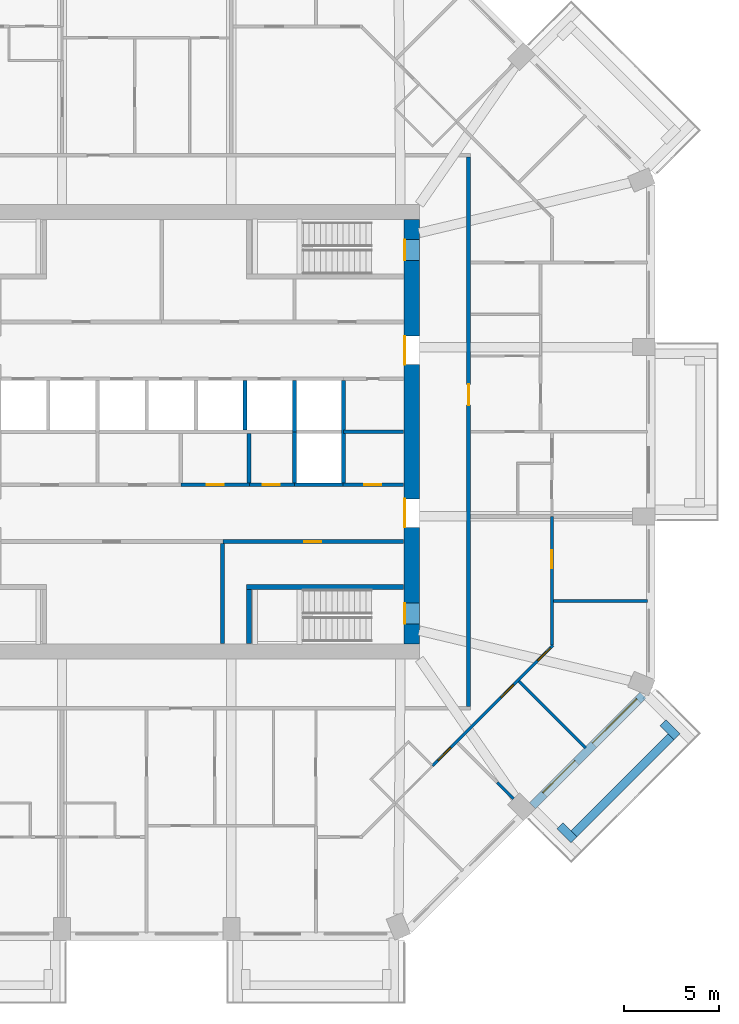
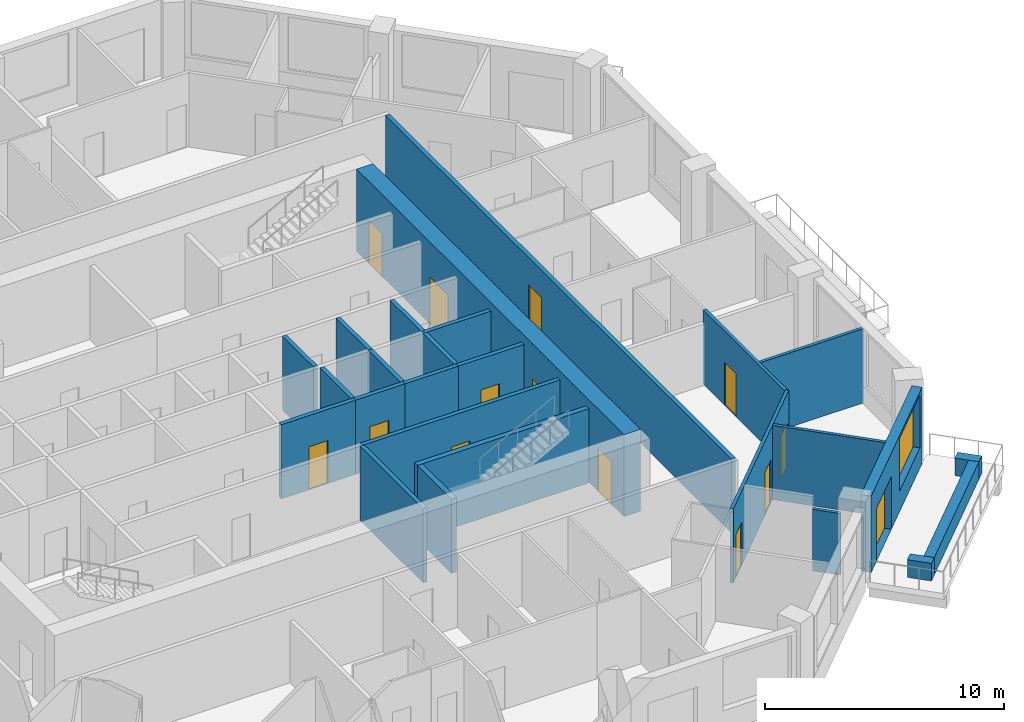
# One storey, part 6 of 13: 25 walls, 14 doors, 1 window, 15 openings.
"""IFC4 building model written with IfcOpenShell, lengths in metres."""

from ifc_helpers import new_model, si_unit, direction, frame, frame_2d, origin, place, context, subcontext, project, spatial, rectangle, extrude, material, layer, layer_set, type_object, element, fill, save


model = new_model("IFC4")

# Units and contexts
model_context = context("Model", 3, precision=1e-05, world=origin(), true_north=direction((0.0, 1.0)))
body_context = subcontext(model_context, "Body", "Model", "MODEL_VIEW")
ifc_project = project(units=[si_unit("LENGTHUNIT", "METRE"), si_unit("AREAUNIT", "SQUARE_METRE"), si_unit("VOLUMEUNIT", "CUBIC_METRE"), si_unit("PLANEANGLEUNIT", "RADIAN"), si_unit("MASSUNIT", "GRAM", prefix="KILO")], contexts=[model_context])

# Site, building, storey
site_placement = place(None, origin())
site = spatial("IfcSite", under=ifc_project, at=site_placement, CompositionType="ELEMENT")
building_placement = place(site_placement, origin())
building = spatial("IfcBuilding", under=site, at=building_placement, Name="Msitu Wima Residences", CompositionType="ELEMENT")
storey_placement = place(building_placement, frame((0.0, 0.0, 144.300048828125)))
storey = spatial("IfcBuildingStorey", under=building, at=storey_placement, Name="L33", CompositionType="ELEMENT", Elevation=144.300048828125)

# Walls
ifc_material_1 = material(Name="Facing brick")
ifc_layer_1 = layer(ifc_material_1, 0.06494140625, Name="Facing brick")
ifc_material_2 = material(Name="Concrete C40/50", Category="concrete")
ifc_layer_2 = layer(ifc_material_2, 0.156005859375, Name="Concrete C40/50")
ifc_material_3 = material(Name="Waterproofing membrane")
ifc_layer_3 = layer(ifc_material_3, 0.00390625, Name="Waterproofing membrane")
ifc_material_4 = material(Name="Planting soil and planting")
ifc_layer_4 = layer(ifc_material_4, 0.22509765625, Name="Planting soil and planting")
ifc_layer_set_1 = layer_set([ifc_layer_1, ifc_layer_2, ifc_layer_3, ifc_layer_4], Name="Concrete C40/50")
wall_type_1 = type_object("IfcWallType", Name="Balcony planter PLANTER PL450", PredefinedType="USERDEFINED", material=ifc_layer_set_1)
wall_1_placement = place(storey_placement, frame((22.572265625, -21.228759765625, 0.0), z_axis=(0.0, 0.0, 1.0), x_axis=(0.707106781187, 0.707106781187, 0.0)))
element("IfcWall", 1, at=wall_1_placement, inside=storey, type_object=wall_type_1, Name="Balcony planter SE1 L33", ObjectType="PLANTER", PredefinedType="USERDEFINED", context=body_context, shape_type="SweptSolid", body=[
    extrude(rectangle(XDim=7.23828125, YDim=0.449951171875, at=frame_2d((3.619140625, 0.0))), origin(), (0.0, 0.0, 1.0), 0.89990234375),
])
for number, where, z_axis, x_axis, name in (
    (2, (21.829833984375, -20.804443359375, 0.0), (0.0, 0.0, 1.0), (0.707106781187, -0.707106781187, 0.0), "Balcony planter SE1 L33"),
    (3, (27.26611328125, -15.3681640625, 0.0), (0.0, 0.0, 1.0), (0.707223014731, -0.706990528533, 0.0), "Balcony planter SE1 L33"),
):
    element("IfcWall", number, at=place(storey_placement, frame(where, z_axis=z_axis, x_axis=x_axis)), inside=storey, type_object=wall_type_1, Name=name, ObjectType="PLANTER", PredefinedType="USERDEFINED", context=body_context, shape_type="SweptSolid", body=[
        extrude(rectangle(XDim=1.050048828125, YDim=0.449951171875, at=frame_2d((0.52490234375, 0.0))), origin(), (0.0, 0.0, 1.0), 0.89990234375),
    ])

# Wall, openings, door, window
ifc_material_5 = material(Name="Brick (red buff mix)", Category="masonry")
ifc_layer_5 = layer(ifc_material_5, 0.449951171875)
ifc_layer_set_2 = layer_set([ifc_layer_5], Name="Brick (red buff mix)")
wall_type_2 = type_object("IfcWallType", Name="Brick infill wall BW450", PredefinedType="SOLIDWALL", material=ifc_layer_set_2)
wall_2_placement = place(storey_placement, frame((20.380126953125, -19.743896484375, 0.0), z_axis=(0.0, 0.0, 1.0), x_axis=(0.707106781187, 0.707106781187, 0.0)))
wall_2 = element("IfcWall", 4, at=wall_2_placement, inside=storey, type_object=wall_type_2, Name="Brick infill wall L33 SE1", PredefinedType="SOLIDWALL", context=body_context, shape_type="SweptSolid", body=[
    extrude(rectangle(XDim=8.251220703125, YDim=0.449951171875, at=frame_2d((4.12548828125, 0.0))), origin(), (0.0, 0.0, 1.0), 3.89990234375),
])
opening_1_placement = place(wall_2_placement, frame((0.86279296875, 0.0, 0.0)))
opening_1 = element("IfcOpeningElement", 5, at=opening_1_placement, cuts=wall_2, Name="Opening D33.008", PredefinedType="OPENING", context=body_context, shape_type="SweptSolid", body=[
    extrude(rectangle(XDim=2.39990234375, YDim=2.699951171875, at=frame_2d((1.199951171875, 1.35009765625))), frame((0.0, 0.23486328125, 0.0), z_axis=(0.0, -1.0, 0.0), x_axis=(1.0, 0.0, 0.0)), (0.0, 0.0, 1.0), 0.469970703125),
])
opening_2_placement = place(wall_2_placement, frame((4.57568359375, 0.0, 1.050048828125)))
opening_2 = element("IfcOpeningElement", 6, at=opening_2_placement, cuts=wall_2, Name="Opening W33.022", PredefinedType="OPENING", context=body_context, shape_type="SweptSolid", body=[
    extrude(rectangle(XDim=3.300048828125, YDim=2.699951171875, at=frame_2d((1.64990234375, 1.35009765625))), frame((0.0, 0.23486328125, 0.0), z_axis=(0.0, -1.0, 0.0), x_axis=(1.0, 0.0, 0.0)), (0.0, 0.0, 1.0), 0.469970703125),
])
ifc_material_6 = material(Name="Anodised aluminium, bronze finish, clear low-emissivity double glazing", Category="aluminium")
door_type_1 = type_object("IfcDoorType", Name="Balcony door D2400x2700", OperationType="SLIDING_TO_LEFT", PredefinedType="DOOR", material=ifc_material_6)
door_1_placement = place(opening_1_placement, origin())
door_1 = element("IfcDoor", 7, at=door_1_placement, inside=storey, type_object=door_type_1, Name="Balcony door L33 SE1", OperationType="SINGLE_SWING_LEFT", OverallHeight=2.699951171875, OverallWidth=2.39990234375, PredefinedType="DOOR", context=body_context, shape_type="SweptSolid", body=[
    extrude(rectangle(XDim=2.39990234375, YDim=2.699951171875, at=frame_2d((1.199951171875, 1.35009765625))), frame((0.0, 0.1298828125, 0.0), z_axis=(0.0, -1.0, 0.0), x_axis=(1.0, 0.0, 0.0)), (0.0, 0.0, 1.0), 0.050048828125),
])
fill(opening_1, door_1)
window_type = type_object("IfcWindowType", Name="Window W3300x2700", PartitioningType="DOUBLE_PANEL_VERTICAL", PredefinedType="WINDOW", material=ifc_material_6)
window_placement = place(opening_2_placement, origin())
window = element("IfcWindow", 8, at=window_placement, inside=storey, type_object=window_type, Name="Window L33 SE1.2", OverallHeight=2.699951171875, OverallWidth=3.300048828125, PartitioningType="SINGLE_PANEL", PredefinedType="WINDOW", context=body_context, shape_type="SweptSolid", body=[
    extrude(rectangle(XDim=3.300048828125, YDim=2.699951171875, at=frame_2d((1.64990234375, 1.35009765625))), frame((0.0, 0.135009765625, 0.0), z_axis=(0.0, -1.0, 0.0), x_axis=(1.0, 0.0, 0.0)), (0.0, 0.0, 1.0), 0.06005859375),
])
fill(opening_2, window)

# Wall, openings, doors
ifc_material_7 = material(Name="Concrete C70/85", Category="concrete")
ifc_layer_6 = layer(ifc_material_7, 0.800048828125)
ifc_layer_set_3 = layer_set([ifc_layer_6], Name="Concrete C70/85")
wall_type_3 = type_object("IfcWallType", Name="Core wall CW800 C70/85", PredefinedType="SHEAR", material=ifc_layer_set_3)
wall_3_placement = place(storey_placement, frame((14.0, -11.199951171875, 0.0), z_axis=(0.0, 0.0, 1.0), x_axis=(0.0, 1.0, 0.0)))
wall_3 = element("IfcWall", 9, at=wall_3_placement, inside=storey, type_object=wall_type_3, Name="Core wall", PredefinedType="SHEAR", context=body_context, shape_type="SweptSolid", body=[
    extrude(rectangle(XDim=22.39990234375, YDim=0.800048828125, at=frame_2d((11.199951171875, 0.0))), origin(), (0.0, 0.0, 1.0), 4.199951171875),
])
opening_3_placement = place(wall_3_placement, frame((20.25, 0.0, 0.0)))
opening_3 = element("IfcOpeningElement", 10, at=opening_3_placement, cuts=wall_3, Name="Opening D33.037", PredefinedType="OPENING", context=body_context, shape_type="SweptSolid", body=[
    extrude(rectangle(XDim=1.10009765625, YDim=2.199951171875, at=frame_2d((0.550048828125, 1.10009765625))), frame((0.0, 0.409912109375, 0.0), z_axis=(0.0, -1.0, 0.0), x_axis=(1.0, 0.0, 0.0)), (0.0, 0.0, 1.0), 0.820068359375),
])
opening_4_placement = place(wall_3_placement, frame((1.050048828125, 0.0, 0.0)))
opening_4 = element("IfcOpeningElement", 11, at=opening_4_placement, cuts=wall_3, Name="Opening D33.038", PredefinedType="OPENING", context=body_context, shape_type="SweptSolid", body=[
    extrude(rectangle(XDim=1.10009765625, YDim=2.199951171875, at=frame_2d((0.550048828125, 1.10009765625))), frame((0.0, 0.409912109375, 0.0), z_axis=(0.0, -1.0, 0.0), x_axis=(1.0, 0.0, 0.0)), (0.0, 0.0, 1.0), 0.820068359375),
])
opening_5_placement = place(wall_3_placement, frame((14.75, 0.0, 0.0)))
opening_5 = element("IfcOpeningElement", 12, at=opening_5_placement, cuts=wall_3, Name="Opening D33.025", PredefinedType="OPENING", context=body_context, shape_type="SweptSolid", body=[
    extrude(rectangle(XDim=1.5, YDim=2.39990234375, at=frame_2d((0.75, 1.199951171875))), frame((0.0, 0.409912109375, 0.0), z_axis=(0.0, -1.0, 0.0), x_axis=(1.0, 0.0, 0.0)), (0.0, 0.0, 1.0), 0.820068359375),
])
opening_6_placement = place(wall_3_placement, frame((6.14990234375, 0.0, 0.0)))
opening_6 = element("IfcOpeningElement", 13, at=opening_6_placement, cuts=wall_3, Name="Opening D33.026", PredefinedType="OPENING", context=body_context, shape_type="SweptSolid", body=[
    extrude(rectangle(XDim=1.5, YDim=2.39990234375, at=frame_2d((0.75, 1.199951171875))), frame((0.0, 0.409912109375, 0.0), z_axis=(0.0, -1.0, 0.0), x_axis=(1.0, 0.0, 0.0)), (0.0, 0.0, 1.0), 0.820068359375),
])
ifc_material_8 = material(Name="Steel framed glazed door, fire resisting", Category="steel")
door_type_2 = type_object("IfcDoorType", Name="Lobby door D07 1500x2400", OperationType="DOUBLE_DOOR_SINGLE_SWING", PredefinedType="DOOR", material=ifc_material_8)
door_2_placement = place(opening_5_placement, origin())
door_2 = element("IfcDoor", 14, at=door_2_placement, inside=storey, type_object=door_type_2, Name="Lobby door", OperationType="DOUBLE_DOOR_SINGLE_SWING", OverallHeight=2.39990234375, OverallWidth=1.5, PredefinedType="DOOR", context=body_context, shape_type="SweptSolid", body=[
    extrude(rectangle(XDim=1.5, YDim=2.39990234375, at=frame_2d((0.75, 1.199951171875))), frame((0.0, 0.39501953125, 0.0), z_axis=(0.0, -1.0, 0.0), x_axis=(1.0, 0.0, 0.0)), (0.0, 0.0, 1.0), 0.050048828125),
])
fill(opening_5, door_2)
door_3_placement = place(opening_6_placement, origin())
door_3 = element("IfcDoor", 15, at=door_3_placement, inside=storey, type_object=door_type_2, Name="Lobby door", OperationType="DOUBLE_DOOR_SINGLE_SWING", OverallHeight=2.39990234375, OverallWidth=1.5, PredefinedType="DOOR", context=body_context, shape_type="SweptSolid", body=[
    extrude(rectangle(XDim=1.5, YDim=2.39990234375, at=frame_2d((0.75, 1.199951171875))), frame((0.0, 0.39501953125, 0.0), z_axis=(0.0, -1.0, 0.0), x_axis=(1.0, 0.0, 0.0)), (0.0, 0.0, 1.0), 0.050048828125),
])
fill(opening_6, door_3)
ifc_material_9 = material(Name="Steel door, fire resisting, panic bar", Category="steel")
door_type_3 = type_object("IfcDoorType", Name="Stair door D06 1100x2200", OperationType="SINGLE_SWING_LEFT", PredefinedType="DOOR", material=ifc_material_9)
door_4_placement = place(opening_3_placement, origin())
door_4 = element("IfcDoor", 16, at=door_4_placement, inside=storey, type_object=door_type_3, Name="Stair door", OperationType="SINGLE_SWING_LEFT", OverallHeight=2.199951171875, OverallWidth=1.10009765625, PredefinedType="DOOR", context=body_context, shape_type="SweptSolid", body=[
    extrude(rectangle(XDim=1.10009765625, YDim=2.199951171875, at=frame_2d((0.550048828125, 1.10009765625))), frame((0.0, 0.39501953125, 0.0), z_axis=(0.0, -1.0, 0.0), x_axis=(1.0, 0.0, 0.0)), (0.0, 0.0, 1.0), 0.050048828125),
])
fill(opening_3, door_4)
door_5_placement = place(opening_4_placement, origin())
door_5 = element("IfcDoor", 17, at=door_5_placement, inside=storey, type_object=door_type_3, Name="Stair door", OperationType="SINGLE_SWING_RIGHT", OverallHeight=2.199951171875, OverallWidth=1.10009765625, PredefinedType="DOOR", context=body_context, shape_type="SweptSolid", body=[
    extrude(rectangle(XDim=1.10009765625, YDim=2.199951171875, at=frame_2d((0.550048828125, 1.10009765625))), frame((0.0, 0.39501953125, 0.0), z_axis=(0.0, -1.0, 0.0), x_axis=(1.0, 0.0, 0.0)), (0.0, 0.0, 1.0), 0.050048828125),
])
fill(opening_4, door_5)

# Wall, opening, door
ifc_material_10 = material(Name="Plaster")
ifc_layer_7 = layer(ifc_material_10, 0.011962890625, Name="Plaster")
ifc_material_11 = material(Name="Concrete blockwork", Category="masonry")
ifc_layer_8 = layer(ifc_material_11, 0.176025390625, Name="Concrete blockwork")
ifc_layer_9 = layer(ifc_material_10, 0.011962890625, Name="Plaster")
ifc_layer_set_4 = layer_set([ifc_layer_7, ifc_layer_8, ifc_layer_9], Name="Concrete blockwork")
wall_type_4 = type_object("IfcWallType", Name="Corridor wall FW200", PredefinedType="PARTITIONING", material=ifc_layer_set_4)
wall_4_placement = place(storey_placement, frame((4.02001953125, -5.800048828125, 0.0), z_axis=(0.0, 0.0, 1.0), x_axis=(1.0, 0.0, 0.0)))
wall_4 = element("IfcWall", 18, at=wall_4_placement, inside=storey, type_object=wall_type_4, Name="Corridor wall", PredefinedType="PARTITIONING", context=body_context, shape_type="SweptSolid", body=[
    extrude(rectangle(XDim=9.550048828125, YDim=0.199951171875, at=frame_2d((4.77490234375, 0.0))), origin(), (0.0, 0.0, 1.0), 3.7978515625),
])
opening_7_placement = place(wall_4_placement, frame((4.300048828125, 0.0, 0.0)))
opening_7 = element("IfcOpeningElement", 19, at=opening_7_placement, cuts=wall_4, Name="Opening D33.024", PredefinedType="OPENING", context=body_context, shape_type="SweptSolid", body=[
    extrude(rectangle(XDim=0.89990234375, YDim=2.199951171875, at=frame_2d((0.449951171875, 1.10009765625))), frame((0.0, 0.10986328125, 0.0), z_axis=(0.0, -1.0, 0.0), x_axis=(1.0, 0.0, 0.0)), (0.0, 0.0, 1.0), 0.219970703125),
])
ifc_material_12 = material(Name="Timber flush door", Category="wood")
door_type_4 = type_object("IfcDoorType", Name="Service door D05 900x2200", OperationType="SINGLE_SWING_LEFT", PredefinedType="DOOR", material=ifc_material_12)
door_6_placement = place(opening_7_placement, origin())
door_6 = element("IfcDoor", 20, at=door_6_placement, inside=storey, type_object=door_type_4, Name="Service door", OperationType="SINGLE_SWING_RIGHT", OverallHeight=2.199951171875, OverallWidth=0.89990234375, PredefinedType="DOOR", context=body_context, shape_type="SweptSolid", body=[
    extrude(rectangle(XDim=0.89990234375, YDim=2.199951171875, at=frame_2d((0.449951171875, 1.10009765625))), frame((0.0, 0.02490234375, 0.0), z_axis=(0.0, -1.0, 0.0), x_axis=(1.0, 0.0, 0.0)), (0.0, 0.0, 1.0), 0.050048828125),
])
fill(opening_7, door_6)

wall_5_placement = place(storey_placement, frame((5.419921875, -2.800048828125, 0.0), z_axis=(0.0, 0.0, 1.0), x_axis=(1.0, 0.0, 0.0)))
wall_5 = element("IfcWall", 21, at=wall_5_placement, inside=storey, type_object=wall_type_4, Name="Corridor wall", PredefinedType="PARTITIONING", context=body_context, shape_type="SweptSolid", body=[
    extrude(rectangle(XDim=2.380126953125, YDim=0.199951171875, at=frame_2d((1.18994140625, 0.0))), origin(), (0.0, 0.0, 1.0), 3.7978515625),
])
opening_8_placement = place(wall_5_placement, frame((0.699951171875, 0.0, 0.0)))
opening_8 = element("IfcOpeningElement", 22, at=opening_8_placement, cuts=wall_5, Name="Opening D33.032", PredefinedType="OPENING", context=body_context, shape_type="SweptSolid", body=[
    extrude(rectangle(XDim=0.89990234375, YDim=2.199951171875, at=frame_2d((0.449951171875, 1.10009765625))), frame((0.0, 0.10986328125, 0.0), z_axis=(0.0, -1.0, 0.0), x_axis=(1.0, 0.0, 0.0)), (0.0, 0.0, 1.0), 0.219970703125),
])
door_7_placement = place(opening_8_placement, origin())
door_7 = element("IfcDoor", 23, at=door_7_placement, inside=storey, type_object=door_type_4, Name="Service door", OperationType="SINGLE_SWING_LEFT", OverallHeight=2.199951171875, OverallWidth=0.89990234375, PredefinedType="DOOR", context=body_context, shape_type="SweptSolid", body=[
    extrude(rectangle(XDim=0.89990234375, YDim=2.199951171875, at=frame_2d((0.449951171875, 1.10009765625))), frame((0.0, 0.02490234375, 0.0), z_axis=(0.0, -1.0, 0.0), x_axis=(1.0, 0.0, 0.0)), (0.0, 0.0, 1.0), 0.050048828125),
])
fill(opening_8, door_7)

wall_6_placement = place(storey_placement, frame((17.0, -14.5, 0.0), z_axis=(0.0, 0.0, 1.0), x_axis=(0.0, 1.0, 0.0)))
wall_6 = element("IfcWall", 24, at=wall_6_placement, inside=storey, type_object=wall_type_4, Name="Corridor wall", PredefinedType="PARTITIONING", context=body_context, shape_type="SweptSolid", body=[
    extrude(rectangle(XDim=29.0, YDim=0.199951171875, at=frame_2d((14.5, 0.0))), origin(), (0.0, 0.0, 1.0), 3.7978515625),
])
opening_9_placement = place(wall_6_placement, frame((15.89990234375, 0.0, 0.0)))
opening_9 = element("IfcOpeningElement", 25, at=opening_9_placement, cuts=wall_6, Name="Opening D33.011", PredefinedType="OPENING", context=body_context, shape_type="SweptSolid", body=[
    extrude(rectangle(XDim=1.10009765625, YDim=2.39990234375, at=frame_2d((0.550048828125, 1.199951171875))), frame((0.0, 0.10986328125, 0.0), z_axis=(0.0, -1.0, 0.0), x_axis=(1.0, 0.0, 0.0)), (0.0, 0.0, 1.0), 0.219970703125),
])
ifc_material_13 = material(Name="Timber flush door, fire resisting, self-closing", Category="wood")
door_type_5 = type_object("IfcDoorType", Name="Flat entrance door D01 1100x2400", OperationType="SINGLE_SWING_LEFT", PredefinedType="DOOR", material=ifc_material_13)
door_8_placement = place(opening_9_placement, origin())
door_8 = element("IfcDoor", 26, at=door_8_placement, inside=storey, type_object=door_type_5, Name="Flat entrance door", OperationType="SINGLE_SWING_RIGHT", OverallHeight=2.39990234375, OverallWidth=1.10009765625, PredefinedType="DOOR", context=body_context, shape_type="SweptSolid", body=[
    extrude(rectangle(XDim=1.10009765625, YDim=2.39990234375, at=frame_2d((0.550048828125, 1.199951171875))), frame((0.0, 0.02490234375, 0.0), z_axis=(0.0, -1.0, 0.0), x_axis=(1.0, 0.0, 0.0)), (0.0, 0.0, 1.0), 0.050048828125),
])
fill(opening_9, door_8)

# Wall, openings, doors
ifc_layer_10 = layer(ifc_material_10, 0.011962890625, Name="Plaster")
ifc_layer_11 = layer(ifc_material_11, 0.1259765625, Name="Concrete blockwork")
ifc_layer_12 = layer(ifc_material_10, 0.011962890625, Name="Plaster")
ifc_layer_set_5 = layer_set([ifc_layer_10, ifc_layer_11, ifc_layer_12], Name="Concrete blockwork")
wall_type_5 = type_object("IfcWallType", Name="Partition PW150", PredefinedType="PARTITIONING", material=ifc_layer_set_5)
wall_7_placement = place(storey_placement, frame((15.098876953125, -17.635986328125, 0.0), z_axis=(0.0, 0.0, 1.0), x_axis=(0.707106781187, 0.707106781187, 0.0)))
wall_7 = element("IfcWall", 27, at=wall_7_placement, inside=storey, type_object=wall_type_5, Name="Partition", PredefinedType="PARTITIONING", context=body_context, shape_type="SweptSolid", body=[
    extrude(rectangle(XDim=8.986328125, YDim=0.14990234375, at=frame_2d((4.4931640625, 0.0))), origin(), (0.0, 0.0, 1.0), 3.7978515625),
])
opening_10_placement = place(wall_7_placement, frame((0.39990234375, 0.0, 0.0)))
opening_10 = element("IfcOpeningElement", 28, at=opening_10_placement, cuts=wall_7, Name="Opening D33.080", PredefinedType="OPENING", context=body_context, shape_type="SweptSolid", body=[
    extrude(rectangle(XDim=0.949951171875, YDim=2.199951171875, at=frame_2d((0.47509765625, 1.10009765625))), frame((0.0, 0.0849609375, 0.0), z_axis=(0.0, -1.0, 0.0), x_axis=(1.0, 0.0, 0.0)), (0.0, 0.0, 1.0), 0.169921875),
])
opening_11_placement = place(wall_7_placement, frame((5.10009765625, 0.0, 0.0)))
opening_11 = element("IfcOpeningElement", 29, at=opening_11_placement, cuts=wall_7, Name="Opening D33.082", PredefinedType="OPENING", context=body_context, shape_type="SweptSolid", body=[
    extrude(rectangle(XDim=0.949951171875, YDim=2.199951171875, at=frame_2d((0.47509765625, 1.10009765625))), frame((0.0, 0.0849609375, 0.0), z_axis=(0.0, -1.0, 0.0), x_axis=(1.0, 0.0, 0.0)), (0.0, 0.0, 1.0), 0.169921875),
])
opening_12_placement = place(wall_7_placement, frame((7.85009765625, 0.0, 0.0)))
opening_12 = element("IfcOpeningElement", 30, at=opening_12_placement, cuts=wall_7, Name="Opening D33.085", PredefinedType="OPENING", context=body_context, shape_type="SweptSolid", body=[
    extrude(rectangle(XDim=0.949951171875, YDim=2.199951171875, at=frame_2d((0.47509765625, 1.10009765625))), frame((0.0, 0.0849609375, 0.0), z_axis=(0.0, -1.0, 0.0), x_axis=(1.0, 0.0, 0.0)), (0.0, 0.0, 1.0), 0.169921875),
])
door_type_6 = type_object("IfcDoorType", Name="Room door D12 950x2200", OperationType="SINGLE_SWING_LEFT", PredefinedType="DOOR", material=ifc_material_12)
door_9_placement = place(opening_10_placement, origin())
door_9 = element("IfcDoor", 31, at=door_9_placement, inside=storey, type_object=door_type_6, Name="Room door", OperationType="SINGLE_SWING_LEFT", OverallHeight=2.199951171875, OverallWidth=0.949951171875, PredefinedType="DOOR", context=body_context, shape_type="SweptSolid", body=[
    extrude(rectangle(XDim=0.949951171875, YDim=2.199951171875, at=frame_2d((0.47509765625, 1.10009765625))), frame((0.0, 0.02490234375, 0.0), z_axis=(0.0, -1.0, 0.0), x_axis=(1.0, 0.0, 0.0)), (0.0, 0.0, 1.0), 0.050048828125),
])
fill(opening_10, door_9)
door_10_placement = place(opening_11_placement, origin())
door_10 = element("IfcDoor", 32, at=door_10_placement, inside=storey, type_object=door_type_6, Name="Room door", OperationType="SINGLE_SWING_LEFT", OverallHeight=2.199951171875, OverallWidth=0.949951171875, PredefinedType="DOOR", context=body_context, shape_type="SweptSolid", body=[
    extrude(rectangle(XDim=0.949951171875, YDim=2.199951171875, at=frame_2d((0.47509765625, 1.10009765625))), frame((0.0, 0.02490234375, 0.0), z_axis=(0.0, -1.0, 0.0), x_axis=(1.0, 0.0, 0.0)), (0.0, 0.0, 1.0), 0.050048828125),
])
fill(opening_11, door_10)
door_11_placement = place(opening_12_placement, origin())
door_11 = element("IfcDoor", 33, at=door_11_placement, inside=storey, type_object=door_type_6, Name="Room door", OperationType="SINGLE_SWING_RIGHT", OverallHeight=2.199951171875, OverallWidth=0.949951171875, PredefinedType="DOOR", context=body_context, shape_type="SweptSolid", body=[
    extrude(rectangle(XDim=0.949951171875, YDim=2.199951171875, at=frame_2d((0.47509765625, 1.10009765625))), frame((0.0, 0.02490234375, 0.0), z_axis=(0.0, -1.0, 0.0), x_axis=(1.0, 0.0, 0.0)), (0.0, 0.0, 1.0), 0.050048828125),
])
fill(opening_12, door_11)

# Walls
wall_8_placement = place(storey_placement, frame((18.517578125, -18.517578125, 0.0), z_axis=(0.0, 0.0, 1.0), x_axis=(0.707106781187, -0.707106781187, 0.0)))
element("IfcWall", 34, at=wall_8_placement, inside=storey, type_object=wall_type_5, Name="Partition", PredefinedType="PARTITIONING", context=body_context, shape_type="SweptSolid", body=[
    extrude(rectangle(XDim=1.209228515625, YDim=0.14990234375, at=frame_2d((0.6044921875, 0.0))), origin(), (0.0, 0.0, 1.0), 3.14990234375),
])
wall_9_placement = place(storey_placement, frame((19.6689453125, -13.171875, 0.0), z_axis=(0.0, 0.0, 1.0), x_axis=(0.707106781187, -0.707106781187, 0.0)))
element("IfcWall", 35, at=wall_9_placement, inside=storey, type_object=wall_type_5, Name="Partition", PredefinedType="PARTITIONING", context=body_context, shape_type="SweptSolid", body=[
    extrude(rectangle(XDim=4.980224609375, YDim=0.14990234375, at=frame_2d((2.490234375, 0.0))), origin(), (0.0, 0.0, 1.0), 3.7978515625),
])

# Wall, opening, door
wall_10_placement = place(storey_placement, frame((21.39990234375, -11.259765625, 0.0), z_axis=(0.0, 0.0, 1.0), x_axis=(0.0, 1.0, 0.0)))
wall_10 = element("IfcWall", 36, at=wall_10_placement, inside=storey, type_object=wall_type_5, Name="Partition", PredefinedType="PARTITIONING", context=body_context, shape_type="SweptSolid", body=[
    extrude(rectangle(XDim=6.791015625, YDim=0.14990234375, at=frame_2d((3.3955078125, 0.0))), origin(), (0.0, 0.0, 1.0), 3.7978515625),
])
opening_13_placement = place(wall_10_placement, frame((4.050048828125, 0.0, 0.0)))
opening_13 = element("IfcOpeningElement", 37, at=opening_13_placement, cuts=wall_10, Name="Opening D33.079", PredefinedType="OPENING", context=body_context, shape_type="SweptSolid", body=[
    extrude(rectangle(XDim=0.949951171875, YDim=2.199951171875, at=frame_2d((0.47509765625, 1.10009765625))), frame((0.0, 0.0849609375, 0.0), z_axis=(0.0, -1.0, 0.0), x_axis=(1.0, 0.0, 0.0)), (0.0, 0.0, 1.0), 0.169921875),
])
door_12_placement = place(opening_13_placement, origin())
door_12 = element("IfcDoor", 38, at=door_12_placement, inside=storey, type_object=door_type_6, Name="Room door", OperationType="SINGLE_SWING_RIGHT", OverallHeight=2.199951171875, OverallWidth=0.949951171875, PredefinedType="DOOR", context=body_context, shape_type="SweptSolid", body=[
    extrude(rectangle(XDim=0.949951171875, YDim=2.199951171875, at=frame_2d((0.47509765625, 1.10009765625))), frame((0.0, 0.02490234375, 0.0), z_axis=(0.0, -1.0, 0.0), x_axis=(1.0, 0.0, 0.0)), (0.0, 0.0, 1.0), 0.050048828125),
])
fill(opening_13, door_12)

# Wall
wall_11_placement = place(storey_placement, frame((21.47509765625, -8.937255859375, 0.0), z_axis=(0.0, 0.0, 1.0), x_axis=(1.0, 0.0, 0.0)))
element("IfcWall", 39, at=wall_11_placement, inside=storey, type_object=wall_type_5, Name="Partition", PredefinedType="PARTITIONING", context=body_context, shape_type="SweptSolid", body=[
    extrude(rectangle(XDim=4.97998046875, YDim=0.14990234375, at=frame_2d((2.489990234375, 0.0))), origin(), (0.0, 0.0, 1.0), 3.7978515625),
])

# Wall, opening, door
ifc_layer_13 = layer(ifc_material_10, 0.011962890625, Name="Plaster")
ifc_material_14 = material(Name="Reinforced concrete blockwork", Category="masonry")
ifc_layer_14 = layer(ifc_material_14, 0.176025390625, Name="Reinforced concrete blockwork")
ifc_layer_15 = layer(ifc_material_10, 0.011962890625, Name="Plaster")
ifc_layer_set_6 = layer_set([ifc_layer_13, ifc_layer_14, ifc_layer_15], Name="Reinforced concrete blockwork")
wall_type_6 = type_object("IfcWallType", Name="Plant and riser wall PL200", PredefinedType="PARTITIONING", material=ifc_layer_set_6)
wall_12_placement = place(storey_placement, frame((1.820068359375, -2.800048828125, 0.0), z_axis=(0.0, 0.0, 1.0), x_axis=(1.0, 0.0, 0.0)))
wall_12 = element("IfcWall", 40, at=wall_12_placement, inside=storey, type_object=wall_type_6, Name="Plant and riser wall", PredefinedType="PARTITIONING", context=body_context, shape_type="SweptSolid", body=[
    extrude(rectangle(XDim=3.599853515625, YDim=0.199951171875, at=frame_2d((1.7998046875, 0.0))), origin(), (0.0, 0.0, 1.0), 3.7978515625),
])
opening_14_placement = place(wall_12_placement, frame((1.35009765625, 0.0, 0.0)))
opening_14 = element("IfcOpeningElement", 41, at=opening_14_placement, cuts=wall_12, Name="Opening D33.031", PredefinedType="OPENING", context=body_context, shape_type="SweptSolid", body=[
    extrude(rectangle(XDim=0.89990234375, YDim=2.199951171875, at=frame_2d((0.449951171875, 1.10009765625))), frame((0.0, 0.10986328125, 0.0), z_axis=(0.0, -1.0, 0.0), x_axis=(1.0, 0.0, 0.0)), (0.0, 0.0, 1.0), 0.219970703125),
])
door_13_placement = place(opening_14_placement, origin())
door_13 = element("IfcDoor", 42, at=door_13_placement, inside=storey, type_object=door_type_4, Name="Service door", OperationType="SINGLE_SWING_RIGHT", OverallHeight=2.199951171875, OverallWidth=0.89990234375, PredefinedType="DOOR", context=body_context, shape_type="SweptSolid", body=[
    extrude(rectangle(XDim=0.89990234375, YDim=2.199951171875, at=frame_2d((0.449951171875, 1.10009765625))), frame((0.0, 0.02490234375, 0.0), z_axis=(0.0, -1.0, 0.0), x_axis=(1.0, 0.0, 0.0)), (0.0, 0.0, 1.0), 0.050048828125),
])
fill(opening_14, door_13)

# Walls
wall_13_placement = place(storey_placement, frame((4.0, -11.169921875, 0.0), z_axis=(0.0, 0.0, 1.0), x_axis=(0.0, 1.0, 0.0)))
element("IfcWall", 43, at=wall_13_placement, inside=storey, type_object=wall_type_6, Name="Plant and riser wall", PredefinedType="PARTITIONING", context=body_context, shape_type="SweptSolid", body=[
    extrude(rectangle(XDim=5.27001953125, YDim=0.199951171875, at=frame_2d((2.635009765625, 0.0))), origin(), (0.0, 0.0, 1.0), 3.7978515625),
])
wall_14_placement = place(storey_placement, frame((5.39990234375, -2.699951171875, 0.0), z_axis=(0.0, 0.0, 1.0), x_axis=(0.0, 1.0, 0.0)))
element("IfcWall", 44, at=wall_14_placement, inside=storey, type_object=wall_type_6, Name="Plant and riser wall", PredefinedType="PARTITIONING", context=body_context, shape_type="SweptSolid", body=[
    extrude(rectangle(XDim=2.599853515625, YDim=0.199951171875, at=frame_2d((1.2998046875, 0.0))), origin(), (0.0, 0.0, 1.0), 3.7978515625),
])

# Wall, opening, door
wall_15_placement = place(storey_placement, frame((10.3798828125, -2.800048828125, 0.0), z_axis=(0.0, 0.0, 1.0), x_axis=(1.0, 0.0, 0.0)))
wall_15 = element("IfcWall", 45, at=wall_15_placement, inside=storey, type_object=wall_type_6, Name="Plant and riser wall", PredefinedType="PARTITIONING", context=body_context, shape_type="SweptSolid", body=[
    extrude(rectangle(XDim=3.190185546875, YDim=0.199951171875, at=frame_2d((1.59521484375, 0.0))), origin(), (0.0, 0.0, 1.0), 3.7978515625),
])
opening_15_placement = place(wall_15_placement, frame((1.10009765625, 0.0, 0.0)))
opening_15 = element("IfcOpeningElement", 46, at=opening_15_placement, cuts=wall_15, Name="Opening D33.015", PredefinedType="OPENING", context=body_context, shape_type="SweptSolid", body=[
    extrude(rectangle(XDim=0.89990234375, YDim=2.199951171875, at=frame_2d((0.449951171875, 1.10009765625))), frame((0.0, 0.10986328125, 0.0), z_axis=(0.0, -1.0, 0.0), x_axis=(1.0, 0.0, 0.0)), (0.0, 0.0, 1.0), 0.219970703125),
])
door_14_placement = place(opening_15_placement, origin())
door_14 = element("IfcDoor", 47, at=door_14_placement, inside=storey, type_object=door_type_4, Name="Service door", OperationType="SINGLE_SWING_LEFT", OverallHeight=2.199951171875, OverallWidth=0.89990234375, PredefinedType="DOOR", context=body_context, shape_type="SweptSolid", body=[
    extrude(rectangle(XDim=0.89990234375, YDim=2.199951171875, at=frame_2d((0.449951171875, 1.10009765625))), frame((0.0, 0.02490234375, 0.0), z_axis=(0.0, -1.0, 0.0), x_axis=(1.0, 0.0, 0.0)), (0.0, 0.0, 1.0), 0.050048828125),
])
fill(opening_15, door_14)

# Walls
wall_16_placement = place(storey_placement, frame((10.39990234375, 0.0, 0.0), z_axis=(0.0, 0.0, 1.0), x_axis=(1.0, 0.0, 0.0)))
element("IfcWall", 48, at=wall_16_placement, inside=storey, type_object=wall_type_6, Name="Plant and riser wall", PredefinedType="PARTITIONING", context=body_context, shape_type="SweptSolid", body=[
    extrude(rectangle(XDim=3.170166015625, YDim=0.199951171875, at=frame_2d((1.5849609375, 0.0))), origin(), (0.0, 0.0, 1.0), 3.7978515625),
])
ifc_material_15 = material(Name="Fire-rated board")
ifc_layer_16 = layer(ifc_material_15, 0.02490234375, Name="Fire-rated board")
ifc_material_16 = material(Name="Light-gauge stud framing with mineral wool")
ifc_layer_17 = layer(ifc_material_16, 0.14990234375, Name="Light-gauge stud framing with mineral wool")
ifc_layer_18 = layer(ifc_material_15, 0.02490234375, Name="Fire-rated board")
ifc_layer_set_7 = layer_set([ifc_layer_16, ifc_layer_17, ifc_layer_18], Name="Light-gauge stud framing with mineral wool")
wall_type_7 = type_object("IfcWallType", Name="Shaft wall SH200", PredefinedType="PARTITIONING", material=ifc_layer_set_7)
wall_17_placement = place(storey_placement, frame((5.199951171875, 0.10009765625, 0.0), z_axis=(0.0, 0.0, 1.0), x_axis=(0.0, 1.0, 0.0)))
element("IfcWall", 49, at=wall_17_placement, inside=storey, type_object=wall_type_7, Name="Shaft wall", PredefinedType="PARTITIONING", context=body_context, shape_type="SweptSolid", body=[
    extrude(rectangle(XDim=2.599853515625, YDim=0.199951171875, at=frame_2d((1.2998046875, 0.0))), origin(), (0.0, 0.0, 1.0), 3.7978515625),
])
wall_18_placement = place(storey_placement, frame((7.800048828125, -2.699951171875, 0.0), z_axis=(0.0, 0.0, 1.0), x_axis=(0.0, 1.0, 0.0)))
element("IfcWall", 50, at=wall_18_placement, inside=storey, type_object=wall_type_7, Name="Shaft wall", PredefinedType="PARTITIONING", context=body_context, shape_type="SweptSolid", body=[
    extrude(rectangle(XDim=2.699951171875, YDim=0.199951171875, at=frame_2d((1.35009765625, 0.0))), origin(), (0.0, 0.0, 1.0), 3.7978515625),
])
wall_19_placement = place(storey_placement, frame((7.800048828125, -2.800048828125, 0.0), z_axis=(0.0, 0.0, 1.0), x_axis=(1.0, 0.0, 0.0)))
element("IfcWall", 51, at=wall_19_placement, inside=storey, type_object=wall_type_7, Name="Shaft wall", PredefinedType="PARTITIONING", context=body_context, shape_type="SweptSolid", body=[
    extrude(rectangle(XDim=2.579833984375, YDim=0.199951171875, at=frame_2d((1.2900390625, 0.0))), origin(), (0.0, 0.0, 1.0), 3.7978515625),
])
wall_20_placement = place(storey_placement, frame((7.800048828125, 0.0, 0.0), z_axis=(0.0, 0.0, 1.0), x_axis=(0.0, 1.0, 0.0)))
element("IfcWall", 52, at=wall_20_placement, inside=storey, type_object=wall_type_7, Name="Shaft wall", PredefinedType="PARTITIONING", context=body_context, shape_type="SweptSolid", body=[
    extrude(rectangle(XDim=2.699951171875, YDim=0.199951171875, at=frame_2d((1.35009765625, 0.0))), origin(), (0.0, 0.0, 1.0), 3.7978515625),
])
wall_21_placement = place(storey_placement, frame((10.39990234375, -2.699951171875, 0.0), z_axis=(0.0, 0.0, 1.0), x_axis=(0.0, 1.0, 0.0)))
element("IfcWall", 53, at=wall_21_placement, inside=storey, type_object=wall_type_7, Name="Shaft wall", PredefinedType="PARTITIONING", context=body_context, shape_type="SweptSolid", body=[
    extrude(rectangle(XDim=5.39990234375, YDim=0.199951171875, at=frame_2d((2.699951171875, 0.0))), origin(), (0.0, 0.0, 1.0), 3.7978515625),
])
ifc_material_17 = material(Name="Concrete C50/60", Category="concrete")
ifc_layer_19 = layer(ifc_material_17, 0.25)
ifc_layer_set_8 = layer_set([ifc_layer_19], Name="Concrete C50/60")
wall_type_8 = type_object("IfcWallType", Name="Stair enclosure wall SW250", PredefinedType="SHEAR", material=ifc_layer_set_8)
wall_22_placement = place(storey_placement, frame((5.39990234375, -11.169921875, 0.0), z_axis=(0.0, 0.0, 1.0), x_axis=(0.0, 1.0, 0.0)))
element("IfcWall", 54, at=wall_22_placement, inside=storey, type_object=wall_type_8, Name="Stair enclosure wall", PredefinedType="SHEAR", context=body_context, shape_type="SweptSolid", body=[
    extrude(rectangle(XDim=2.844970703125, YDim=0.25, at=frame_2d((1.42236328125, 0.0))), origin(), (0.0, 0.0, 1.0), 3.7978515625),
])
wall_23_placement = place(storey_placement, frame((5.27490234375, -8.199951171875, 0.0), z_axis=(0.0, 0.0, 1.0), x_axis=(1.0, 0.0, 0.0)))
element("IfcWall", 55, at=wall_23_placement, inside=storey, type_object=wall_type_8, Name="Stair enclosure wall", PredefinedType="SHEAR", context=body_context, shape_type="SweptSolid", body=[
    extrude(rectangle(XDim=8.295166015625, YDim=0.25, at=frame_2d((4.1474609375, 0.0))), origin(), (0.0, 0.0, 1.0), 3.7978515625),
])

save(model, "model.ifc")
